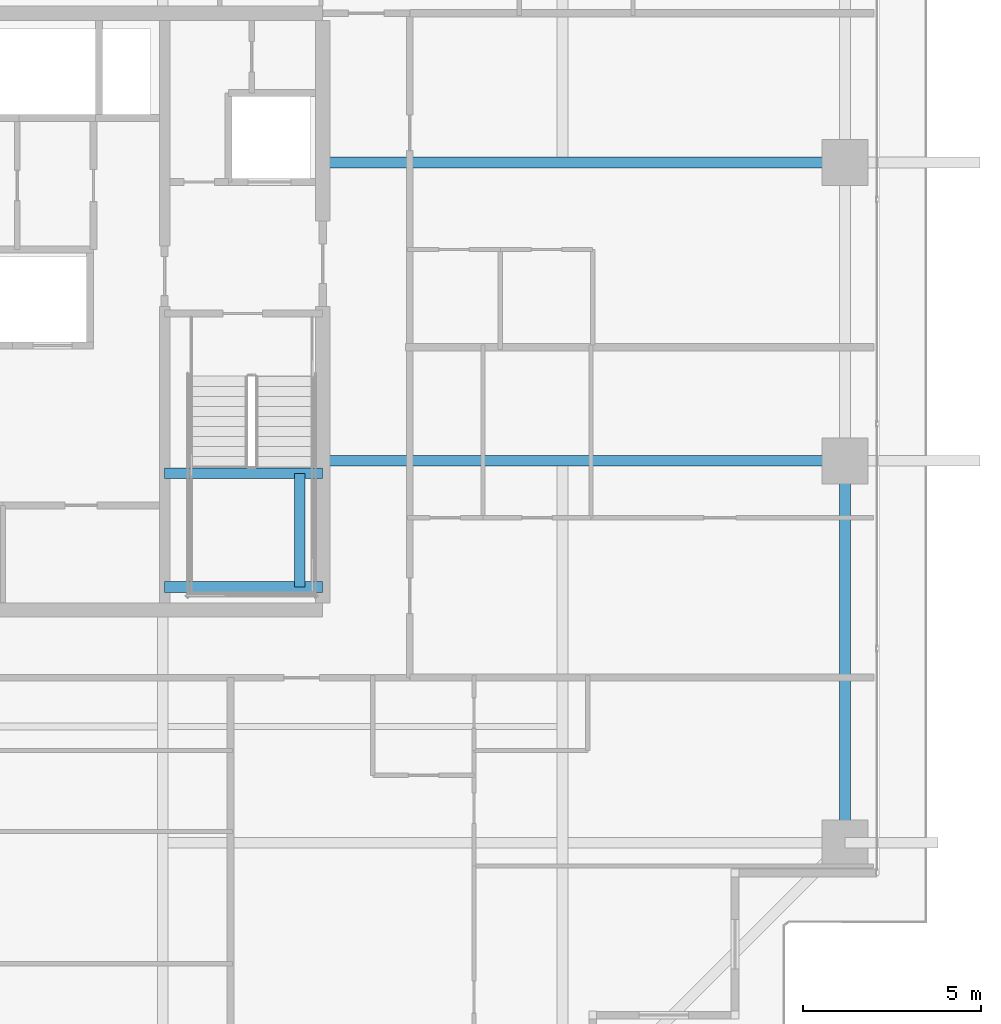
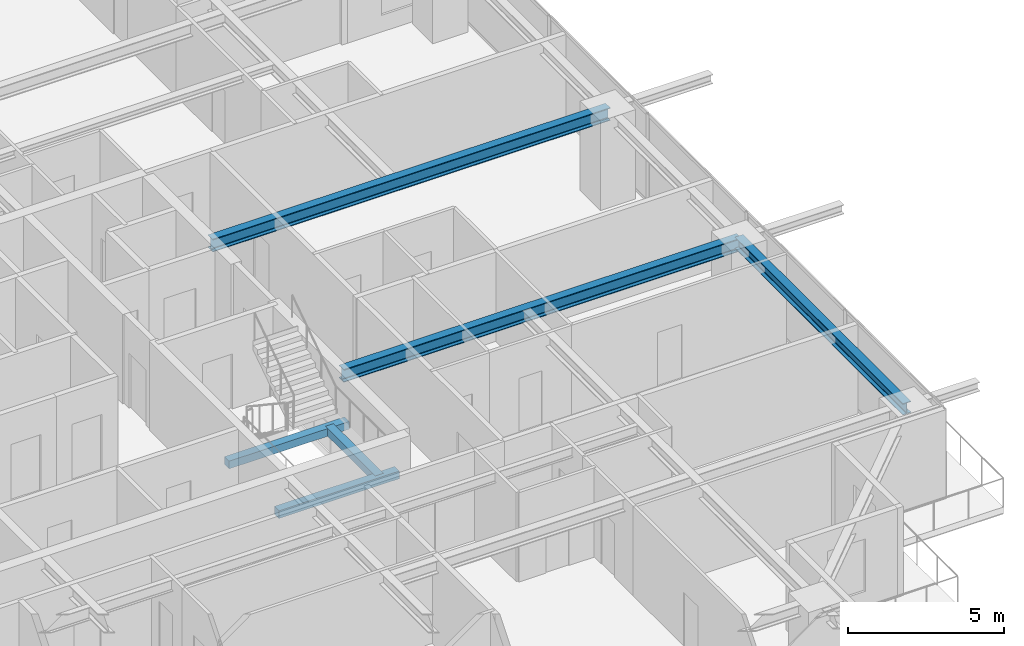
# One storey, part 13 of 35: 6 beams.
"""IFC4 building model written with IfcOpenShell, lengths in metres."""

from ifc_helpers import new_model, si_unit, direction, frame, origin, origin_2d, place, context, subcontext, project, spatial, rectangle, i_section, extrude, source, transform, mapped, material, material_profile, profile_set, type_object, element, save


model = new_model("IFC4")

# Units and contexts
model_context = context("Model", 3, precision=1e-05, world=origin(), true_north=direction((0.0, 1.0)))
body_context = subcontext(model_context, "Body", "Model", "MODEL_VIEW")
ifc_project = project(units=[si_unit("LENGTHUNIT", "METRE"), si_unit("AREAUNIT", "SQUARE_METRE"), si_unit("VOLUMEUNIT", "CUBIC_METRE"), si_unit("PLANEANGLEUNIT", "RADIAN"), si_unit("MASSUNIT", "GRAM", prefix="KILO")], contexts=[model_context])

# Site, building, storey
site_placement = place(None, origin())
site = spatial("IfcSite", under=ifc_project, at=site_placement, CompositionType="ELEMENT")
building_placement = place(site_placement, origin())
building = spatial("IfcBuilding", under=site, at=building_placement, Name="Serunith Strait Residences", CompositionType="ELEMENT")
storey_placement = place(building_placement, frame((0.0, 0.0, 157.64990234375)))
storey = spatial("IfcBuildingStorey", under=building, at=storey_placement, Name="L39", CompositionType="ELEMENT", Elevation=157.64990234375)

# Beams
ifc_material_1 = material(Name="Steel S355J2", Category="steel")
ifc_material_profile_1 = material_profile(ifc_material_1, i_section(OverallWidth=0.300048828125, OverallDepth=0.5, WebThickness=0.014404296875, FlangeThickness=0.028076171875, FilletRadius=0.027099609375, at=origin_2d()), Name="HEB 500")
ifc_profile_set_1 = profile_set([ifc_material_profile_1], Name="Steel S355J2")
beam_type_1 = type_object("IfcBeamType", Name="BM-HEB500", PredefinedType="BEAM", material=ifc_profile_set_1)
shared_shape_1 = source(origin(), body_context, "Body", "SweptSolid", [
    extrude(i_section(OverallWidth=0.300048828125, OverallDepth=0.5, WebThickness=0.014404296875, FlangeThickness=0.028076171875, FilletRadius=0.027099609375, at=origin_2d()), origin(), (0.0, 0.0, 1.0), 14.7001953125),
])
for number, where, z_axis, x_axis, name in (
    (1, (41.39990234375, 21.0, 3.237060546875), (1.0, 0.0, 0.0), (0.0, 1.0, 0.0), "L39 Primary Floor Girder TC-E2"),
    (2, (41.39990234375, 29.39990234375, 3.237060546875), (1.0, 0.0, 0.0), (0.0, 1.0, 0.0), "L39 Primary Floor Girder TC-E3"),
):
    element("IfcBeam", number, at=place(storey_placement, frame(where, z_axis=z_axis, x_axis=x_axis)), inside=storey, type_object=beam_type_1, Name=name, PredefinedType="BEAM", context=body_context, shape_type="MappedRepresentation", body=[
        mapped(shared_shape_1, transform((0.0, 0.0, 0.0), scale=1.0)),
    ])
ifc_material_profile_2 = material_profile(ifc_material_1, i_section(OverallWidth=0.300048828125, OverallDepth=0.449951171875, WebThickness=0.013916015625, FlangeThickness=0.02587890625, FilletRadius=0.027099609375, at=origin_2d()), Name="HEB 450")
ifc_profile_set_2 = profile_set([ifc_material_profile_2], Name="Steel S355J2")
beam_type_2 = type_object("IfcBeamType", Name="BM-HEB450", PredefinedType="BEAM", material=ifc_profile_set_2)
shared_shape_2 = source(origin(), body_context, "Body", "SweptSolid", [
    extrude(i_section(OverallWidth=0.300048828125, OverallDepth=0.449951171875, WebThickness=0.013916015625, FlangeThickness=0.02587890625, FilletRadius=0.027099609375, at=origin_2d()), origin(), (0.0, 0.0, 1.0), 10.75),
])
beam_1_placement = place(storey_placement, frame((56.10009765625, 10.25, 3.26220703125), z_axis=(0.0, 1.0, 0.0), x_axis=(-1.0, 0.0, 0.0)))
element("IfcBeam", 3, at=beam_1_placement, inside=storey, type_object=beam_type_2, Name="L39 Perimeter Ring Beam 05", PredefinedType="BEAM", context=body_context, shape_type="MappedRepresentation", body=[
    mapped(shared_shape_2, transform((0.0, 0.0, 0.0), scale=1.0)),
])
ifc_material_2 = material(Name="Concrete C60/75", Category="concrete")
ifc_material_profile_3 = material_profile(ifc_material_2, rectangle(XDim=0.300048828125, YDim=0.300048828125, at=origin_2d()), Name="RC 300x300")
ifc_profile_set_3 = profile_set([ifc_material_profile_3], Name="Concrete C60/75")
beam_type_3 = type_object("IfcBeamType", Name="BM-LAND-300x300", PredefinedType="BEAM", material=ifc_profile_set_3)
shared_shape_3 = source(origin(), body_context, "Body", "SweptSolid", [
    extrude(rectangle(XDim=0.300048828125, YDim=0.300048828125, at=origin_2d()), origin(), (0.0, 0.0, 1.0), 3.199951171875),
])
beam_2_placement = place(storey_placement, frame((40.75, 17.449951171875, 1.525146484375), z_axis=(0.0, 1.0, 0.0), x_axis=(-1.0, 0.0, 0.0)))
element("IfcBeam", 4, at=beam_2_placement, inside=storey, type_object=beam_type_3, Name="L39 ST-2 Landing Transverse Tie Beam", PredefinedType="BEAM", context=body_context, shape_type="MappedRepresentation", body=[
    mapped(shared_shape_3, transform((0.0, 0.0, 0.0), scale=1.0)),
])
shared_shape_4 = source(origin(), body_context, "Body", "SweptSolid", [
    extrude(rectangle(XDim=0.300048828125, YDim=0.300048828125, at=origin_2d()), origin(), (0.0, 0.0, 1.0), 4.449951171875),
])
for number, where, z_axis, x_axis, name in (
    (5, (36.949951171875, 17.449951171875, 1.525146484375), (1.0, 0.0, 0.0), (0.0, 1.0, 0.0), "L39 ST-2 Landing Support Beam 1"),
    (6, (36.949951171875, 20.64990234375, 1.525146484375), (1.0, 0.0, 0.0), (0.0, 1.0, 0.0), "L39 ST-2 Landing Support Beam 2"),
):
    element("IfcBeam", number, at=place(storey_placement, frame(where, z_axis=z_axis, x_axis=x_axis)), inside=storey, type_object=beam_type_3, Name=name, PredefinedType="BEAM", context=body_context, shape_type="MappedRepresentation", body=[
        mapped(shared_shape_4, transform((0.0, 0.0, 0.0), scale=1.0)),
    ])

save(model, "model.ifc")
